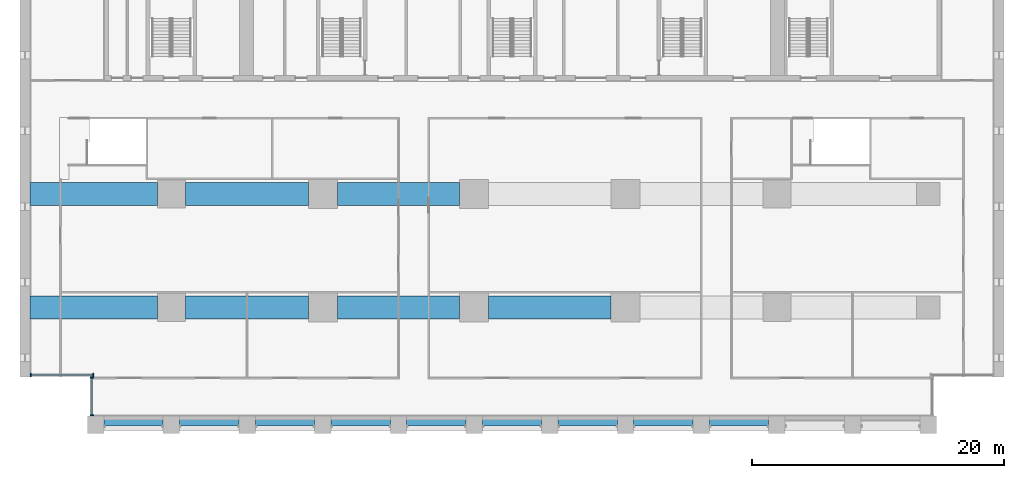
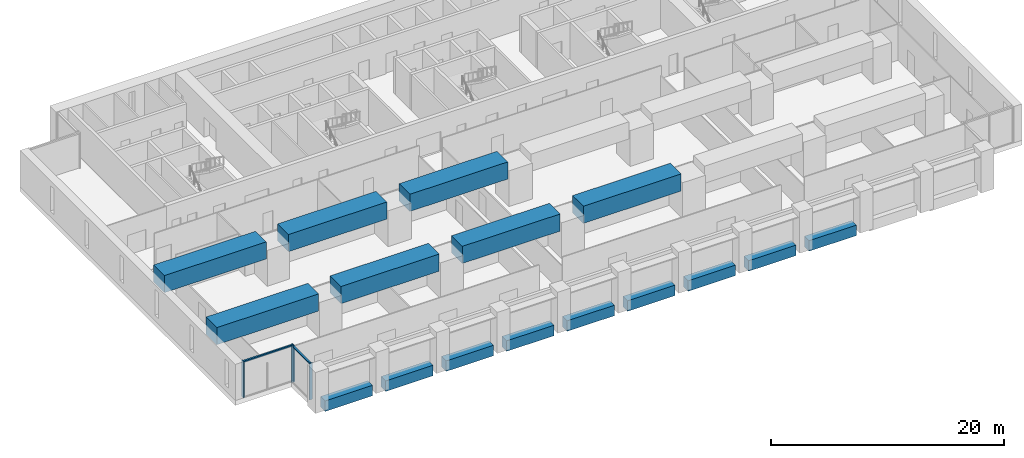
# One storey, part 2 of 17: 16 beams, 6 members, 2 elements without a shape of their own.
"""IFC4 building model written with IfcOpenShell, lengths in metres."""

from ifc_helpers import new_model, si_unit, direction, frame, origin, origin_2d, place, context, subcontext, project, spatial, rectangle, extrude, material, material_profile, profile_set, type_object, element, aggregate, save


model = new_model("IFC4")

# Units and contexts
model_context = context("Model", 3, precision=1e-05, world=origin(), true_north=direction((0.0, 1.0)))
body_context = subcontext(model_context, "Body", "Model", "MODEL_VIEW")
ifc_project = project(units=[si_unit("LENGTHUNIT", "METRE"), si_unit("AREAUNIT", "SQUARE_METRE"), si_unit("VOLUMEUNIT", "CUBIC_METRE"), si_unit("PLANEANGLEUNIT", "RADIAN"), si_unit("MASSUNIT", "GRAM", prefix="KILO")], contexts=[model_context])

# Site, building, storey
site_placement = place(None, origin())
site = spatial("IfcSite", under=ifc_project, at=site_placement, CompositionType="ELEMENT")
building_placement = place(site_placement, origin())
building = spatial("IfcBuilding", under=site, at=building_placement, Name="Calvaro Tower", CompositionType="ELEMENT")
storey_placement = place(building_placement, frame((0.0, 0.0, 17.89990234375)))
storey = spatial("IfcBuildingStorey", under=building, at=storey_placement, Name="L03", CompositionType="ELEMENT", Elevation=17.89990234375)

# Curtain wall, members
ifc_material_1 = material(Name="Anodised aluminium", Category="aluminium")
curtain_wall_type = type_object("IfcCurtainWallType", Name="Foyer curtain wall", PredefinedType="NOTDEFINED", material=ifc_material_1)
curtain_wall_1_placement = place(storey_placement, origin())
curtain_wall_1 = element("IfcCurtainWall", 1, at=curtain_wall_1_placement, inside=storey, type_object=curtain_wall_type, Name="CW6 corner curtain wall", PredefinedType="NOTDEFINED")
ifc_material_2 = material(Name="Anodised aluminium", Category="aluminium")
ifc_material_profile_1 = material_profile(ifc_material_2, rectangle(XDim=0.300048828125, YDim=0.10009765625, at=origin_2d()), Name="Mullion PF 100 x 300")
ifc_profile_set_1 = profile_set([ifc_material_profile_1], Name="Anodised aluminium")
member_type_1 = type_object("IfcMemberType", Name="Mullion PF 100 x 300", PredefinedType="MULLION", material=ifc_profile_set_1)
member_1_placement = place(storey_placement, frame((5.699951171875, 1.449951171875, 0.0), z_axis=(0.0, 0.0, 1.0), x_axis=(-1.0, 0.0, 0.0)))
member_1 = element("IfcMember", 2, at=member_1_placement, type_object=member_type_1, Name="CW6 mullion 1", PredefinedType="MULLION", context=body_context, shape_type="SweptSolid", body=[
    extrude(rectangle(XDim=0.300048828125, YDim=0.10009765625, at=origin_2d()), origin(), (0.0, 0.0, 1.0), 3.800048828125),
])
member_2_placement = place(storey_placement, frame((5.699951171875, 4.449951171875, 0.0), z_axis=(0.0, 0.0, 1.0), x_axis=(-1.0, 0.0, 0.0)))
member_2 = element("IfcMember", 3, at=member_2_placement, type_object=member_type_1, Name="CW6 mullion 2", PredefinedType="MULLION", context=body_context, shape_type="SweptSolid", body=[
    extrude(rectangle(XDim=0.300048828125, YDim=0.10009765625, at=origin_2d()), origin(), (0.0, 0.0, 1.0), 3.800048828125),
])

curtain_wall_2_placement = place(storey_placement, origin())
curtain_wall_2 = element("IfcCurtainWall", 4, at=curtain_wall_2_placement, inside=storey, type_object=curtain_wall_type, Name="CW6 corner curtain wall", PredefinedType="NOTDEFINED")
member_3_placement = place(storey_placement, frame((0.85009765625, 4.64990234375, 0.0), z_axis=(0.0, 0.0, 1.0), x_axis=(0.0, 1.0, 0.0)))
member_3 = element("IfcMember", 5, at=member_3_placement, type_object=member_type_1, Name="CW6 mullion 1", PredefinedType="MULLION", context=body_context, shape_type="SweptSolid", body=[
    extrude(rectangle(XDim=0.300048828125, YDim=0.10009765625, at=origin_2d()), origin(), (0.0, 0.0, 1.0), 3.800048828125),
])
member_4_placement = place(storey_placement, frame((5.800048828125, 4.64990234375, 0.0), z_axis=(0.0, 0.0, 1.0), x_axis=(0.0, 1.0, 0.0)))
member_4 = element("IfcMember", 6, at=member_4_placement, type_object=member_type_1, Name="CW6 mullion 2", PredefinedType="MULLION", context=body_context, shape_type="SweptSolid", body=[
    extrude(rectangle(XDim=0.300048828125, YDim=0.10009765625, at=origin_2d()), origin(), (0.0, 0.0, 1.0), 3.800048828125),
])

# Beams
ifc_material_3 = material(Name="Concrete C50/60 precast", Category="concrete")
ifc_material_profile_2 = material_profile(ifc_material_3, rectangle(XDim=0.800048828125, YDim=1.10009765625, at=origin_2d()), Name="RC 800x1100")
ifc_profile_set_2 = profile_set([ifc_material_profile_2], Name="Concrete C50/60 precast")
beam_type_1 = type_object("IfcBeamType", Name="Spandrel beam 800x1100 C50/60", PredefinedType="SPANDREL", material=ifc_profile_set_2)
for number, where, z_axis, x_axis, name in (
    (7, (6.64990234375, 1.0, -0.5498046875), (1.0, 0.0, 0.0), (0.0, 1.0, 0.0), "Spandrel beam"),
    (8, (12.64990234375, 1.0, -0.5498046875), (1.0, 0.0, 0.0), (0.0, 1.0, 0.0), "Spandrel beam"),
    (9, (18.64990234375, 1.0, -0.5498046875), (1.0, 0.0, 0.0), (0.0, 1.0, 0.0), "Spandrel beam"),
    (10, (24.64990234375, 1.0, -0.5498046875), (1.0, 0.0, 0.0), (0.0, 1.0, 0.0), "Spandrel beam"),
    (11, (30.64990234375, 1.0, -0.5498046875), (1.0, 0.0, 0.0), (0.0, 1.0, 0.0), "Spandrel beam"),
    (12, (36.64990234375, 1.0, -0.5498046875), (1.0, 0.0, 0.0), (0.0, 1.0, 0.0), "Spandrel beam"),
    (13, (42.64990234375, 1.0, -0.5498046875), (1.0, 0.0, 0.0), (0.0, 1.0, 0.0), "Spandrel beam"),
    (14, (48.64990234375, 1.0, -0.5498046875), (1.0, 0.0, 0.0), (0.0, 1.0, 0.0), "Spandrel beam"),
    (15, (54.64990234375, 1.0, -0.5498046875), (1.0, 0.0, 0.0), (0.0, 1.0, 0.0), "Spandrel beam"),
):
    element("IfcBeam", number, at=place(storey_placement, frame(where, z_axis=z_axis, x_axis=x_axis)), inside=storey, type_object=beam_type_1, Name=name, PredefinedType="SPANDREL", context=body_context, shape_type="SweptSolid", body=[
        extrude(rectangle(XDim=0.800048828125, YDim=1.10009765625, at=origin_2d()), origin(), (0.0, 0.0, 1.0), 4.7001953125),
    ])
ifc_material_4 = material(Name="Concrete C80/95", Category="concrete")
ifc_material_profile_3 = material_profile(ifc_material_4, rectangle(XDim=1.85009765625, YDim=1.800048828125, at=origin_2d()), Name="RC 1850x1800")
ifc_profile_set_3 = profile_set([ifc_material_profile_3], Name="Concrete C80/95")
beam_type_2 = type_object("IfcBeamType", Name="Transfer girder 1850x1800 C80/95", PredefinedType="BEAM", material=ifc_profile_set_3)
beam_1_placement = place(storey_placement, frame((0.800048828125, 10.0, 3.7001953125), z_axis=(1.0, 0.0, 0.0), x_axis=(0.0, 1.0, 0.0)))
element("IfcBeam", 16, at=beam_1_placement, inside=storey, type_object=beam_type_2, Name="Transfer girder", PredefinedType="BEAM", context=body_context, shape_type="SweptSolid", body=[
    extrude(rectangle(XDim=1.85009765625, YDim=1.800048828125, at=origin_2d()), origin(), (0.0, 0.0, 1.0), 10.099853515625),
])
beam_2_placement = place(storey_placement, frame((13.10009765625, 10.0, 3.7001953125), z_axis=(1.0, 0.0, 0.0), x_axis=(0.0, 1.0, 0.0)))
element("IfcBeam", 17, at=beam_2_placement, inside=storey, type_object=beam_type_2, Name="Transfer girder", PredefinedType="BEAM", context=body_context, shape_type="SweptSolid", body=[
    extrude(rectangle(XDim=1.85009765625, YDim=1.800048828125, at=origin_2d()), origin(), (0.0, 0.0, 1.0), 9.75),
])
for number, where, z_axis, x_axis, name in (
    (18, (25.14990234375, 10.0, 3.7001953125), (1.0, 0.0, 0.0), (0.0, 1.0, 0.0), "Transfer girder"),
    (19, (37.14990234375, 10.0, 3.7001953125), (1.0, 0.0, 0.0), (0.0, 1.0, 0.0), "Transfer girder"),
):
    element("IfcBeam", number, at=place(storey_placement, frame(where, z_axis=z_axis, x_axis=x_axis)), inside=storey, type_object=beam_type_2, Name=name, PredefinedType="BEAM", context=body_context, shape_type="SweptSolid", body=[
        extrude(rectangle(XDim=1.85009765625, YDim=1.800048828125, at=origin_2d()), origin(), (0.0, 0.0, 1.0), 9.7001953125),
    ])
beam_3_placement = place(storey_placement, frame((0.800048828125, 19.0, 3.7001953125), z_axis=(1.0, 0.0, 0.0), x_axis=(0.0, 1.0, 0.0)))
element("IfcBeam", 20, at=beam_3_placement, inside=storey, type_object=beam_type_2, Name="Transfer girder", PredefinedType="BEAM", context=body_context, shape_type="SweptSolid", body=[
    extrude(rectangle(XDim=1.85009765625, YDim=1.800048828125, at=origin_2d()), origin(), (0.0, 0.0, 1.0), 10.099853515625),
])
beam_4_placement = place(storey_placement, frame((13.10009765625, 19.0, 3.7001953125), z_axis=(1.0, 0.0, 0.0), x_axis=(0.0, 1.0, 0.0)))
element("IfcBeam", 21, at=beam_4_placement, inside=storey, type_object=beam_type_2, Name="Transfer girder", PredefinedType="BEAM", context=body_context, shape_type="SweptSolid", body=[
    extrude(rectangle(XDim=1.85009765625, YDim=1.800048828125, at=origin_2d()), origin(), (0.0, 0.0, 1.0), 9.75),
])
beam_5_placement = place(storey_placement, frame((25.14990234375, 19.0, 3.7001953125), z_axis=(1.0, 0.0, 0.0), x_axis=(0.0, 1.0, 0.0)))
element("IfcBeam", 22, at=beam_5_placement, inside=storey, type_object=beam_type_2, Name="Transfer girder", PredefinedType="BEAM", context=body_context, shape_type="SweptSolid", body=[
    extrude(rectangle(XDim=1.85009765625, YDim=1.800048828125, at=origin_2d()), origin(), (0.0, 0.0, 1.0), 9.7001953125),
])

# Member
ifc_material_5 = material(Name="Anodised aluminium", Category="aluminium")
ifc_material_profile_4 = material_profile(ifc_material_5, rectangle(XDim=0.159912109375, YDim=0.139892578125, at=origin_2d()), Name="Transom PF 140 x 160")
ifc_profile_set_4 = profile_set([ifc_material_profile_4], Name="Anodised aluminium")
member_type_2 = type_object("IfcMemberType", Name="Transom PF 140 x 160", PredefinedType="USERDEFINED", material=ifc_profile_set_4)
member_5_placement = place(storey_placement, frame((5.699951171875, 1.5, 3.72998046875), z_axis=(0.0, 1.0, 0.0), x_axis=(-1.0, 0.0, 0.0)))
member_5 = element("IfcMember", 23, at=member_5_placement, type_object=member_type_2, Name="CW6 transom 1.1", ObjectType="TRANSOM", PredefinedType="USERDEFINED", context=body_context, shape_type="SweptSolid", body=[
    extrude(rectangle(XDim=0.159912109375, YDim=0.139892578125, at=origin_2d()), origin(), (0.0, 0.0, 1.0), 2.89990234375),
])

aggregate(curtain_wall_1, [member_1, member_2, member_5])

member_6_placement = place(storey_placement, frame((0.89990234375, 4.64990234375, 3.72998046875), z_axis=(1.0, 0.0, 0.0), x_axis=(0.0, 1.0, 0.0)))
member_6 = element("IfcMember", 24, at=member_6_placement, type_object=member_type_2, Name="CW6 transom 1.1", ObjectType="TRANSOM", PredefinedType="USERDEFINED", context=body_context, shape_type="SweptSolid", body=[
    extrude(rectangle(XDim=0.159912109375, YDim=0.139892578125, at=origin_2d()), origin(), (0.0, 0.0, 1.0), 4.85009765625),
])

aggregate(curtain_wall_2, [member_3, member_4, member_6])

save(model, "model.ifc")
